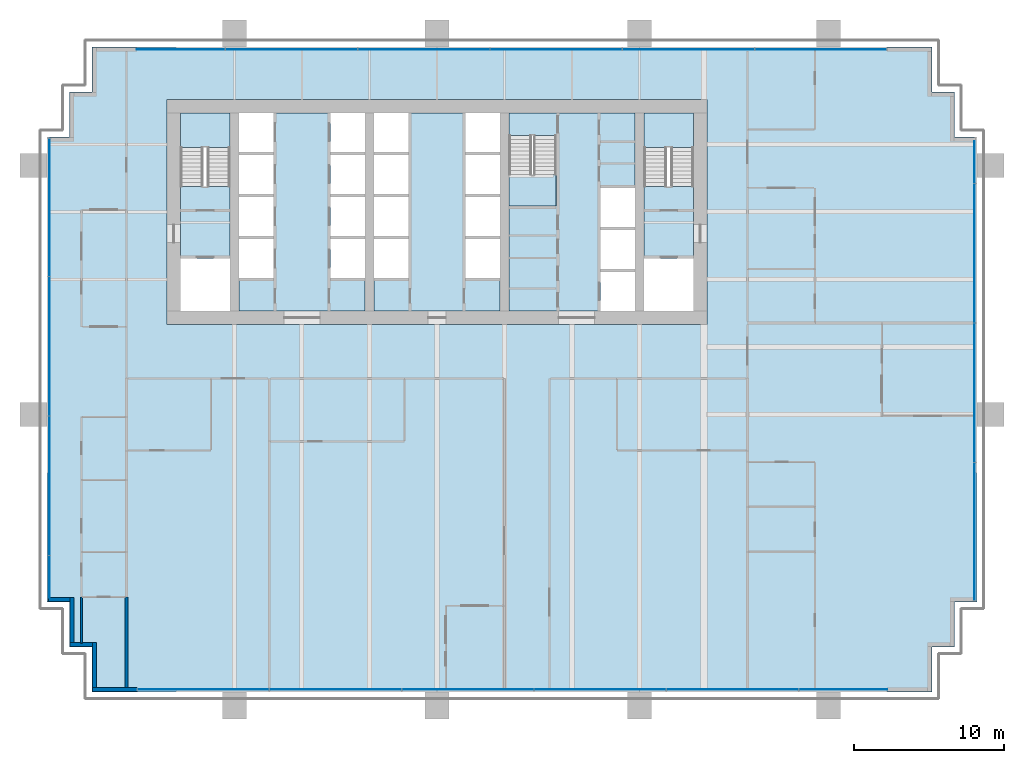
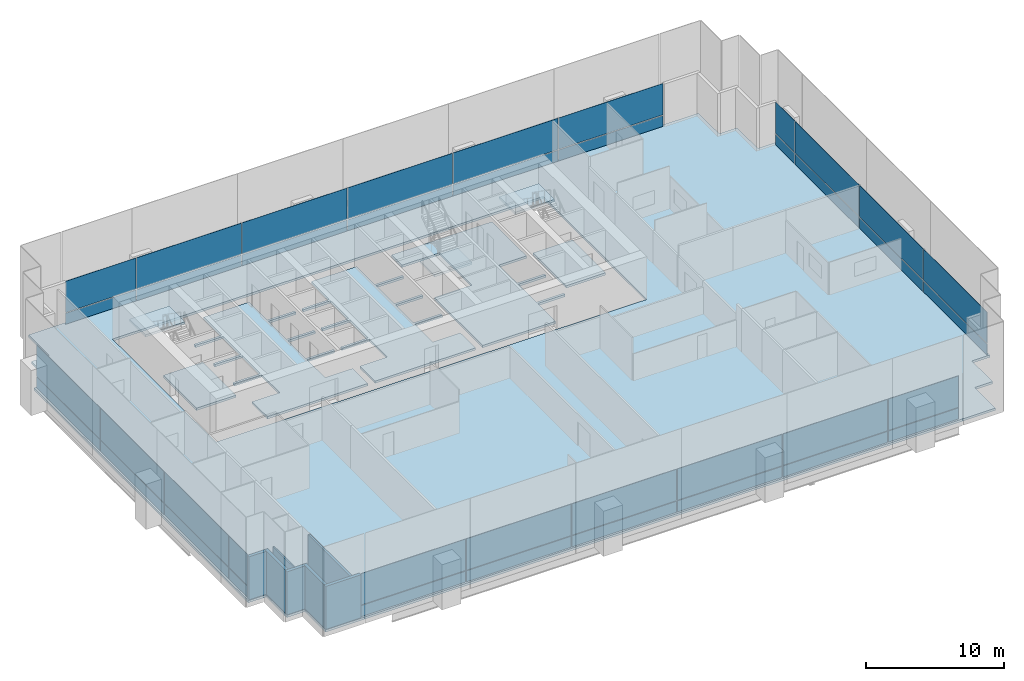
# One storey, part 11 of 19: 40 plates, 9 slabs, 7 walls, 7 elements without a shape of their own.
"""IFC4 building model written with IfcOpenShell, lengths in metres."""

from ifc_helpers import new_model, si_unit, direction, frame, frame_2d, origin, origin_2d, place, context, subcontext, project, spatial, polyline, rectangle, outline, extrude, material, layer, layer_set, type_object, element, aggregate, save


model = new_model("IFC4")

# Units and contexts
model_context = context("Model", 3, precision=1e-05, world=origin(), true_north=direction((0.0, 1.0)))
body_context = subcontext(model_context, "Body", "Model", "MODEL_VIEW")
ifc_project = project(units=[si_unit("LENGTHUNIT", "METRE"), si_unit("AREAUNIT", "SQUARE_METRE"), si_unit("VOLUMEUNIT", "CUBIC_METRE"), si_unit("PLANEANGLEUNIT", "RADIAN"), si_unit("MASSUNIT", "GRAM", prefix="KILO")], contexts=[model_context])

# Site, building, storey
site_placement = place(None, origin())
site = spatial("IfcSite", under=ifc_project, at=site_placement, CompositionType="ELEMENT")
building_placement = place(site_placement, origin())
building = spatial("IfcBuilding", under=site, at=building_placement, Name="Rattan Terrace Tower", CompositionType="ELEMENT")
storey_placement = place(building_placement, frame((0.0, 0.0, 91.699951171875)))
storey = spatial("IfcBuildingStorey", under=building, at=storey_placement, Name="L20", CompositionType="ELEMENT", Elevation=91.699951171875)

# Stair, slab
ifc_material_1 = material(Name="Concrete C40/50", Category="concrete")
stair_type = type_object("IfcStairType", Name="Core exit stair 1500", PredefinedType="HALF_TURN_STAIR", material=ifc_material_1)
stair_1_placement = place(storey_placement, origin())
stair_1 = element("IfcStair", 1, at=stair_1_placement, inside=storey, type_object=stair_type, Name="L20 exit stair 1", PredefinedType="HALF_TURN_STAIR")
ifc_material_2 = material(Name="Concrete C40/50", Category="concrete")
ifc_layer_1 = layer(ifc_material_2, 0.199951171875)
ifc_layer_set_1 = layer_set([ifc_layer_1], Name="Core exit stair landing")
slab_type_1 = type_object("IfcSlabType", Name="Core exit stair landing", PredefinedType="LANDING", material=ifc_layer_set_1)
slab_1_placement = place(storey_placement, frame((0.0, 0.0, 1.800048828125)))
slab_1 = element("IfcSlab", 2, at=slab_1_placement, type_object=slab_type_1, Name="S1 landing 1", PredefinedType="LANDING", context=body_context, shape_type="SweptSolid", body=[
    extrude(outline(polyline([(-13.800048828125, 4.300048828125), (-13.800048828125, 6.60009765625), (-17.10009765625, 6.60009765625), (-17.10009765625, 4.300048828125), (-13.800048828125, 4.300048828125)])), origin(), (0.0, 0.0, 1.0), 0.199951171875),
])
aggregate(stair_1, [slab_1])

stair_2_placement = place(storey_placement, origin())
stair_2 = element("IfcStair", 3, at=stair_2_placement, inside=storey, type_object=stair_type, Name="L20 exit stair 2", PredefinedType="HALF_TURN_STAIR")
slab_2_placement = place(storey_placement, frame((0.0, 0.0, 1.800048828125)))
slab_2 = element("IfcSlab", 4, at=slab_2_placement, type_object=slab_type_1, Name="S2 landing 1", PredefinedType="LANDING", context=body_context, shape_type="SweptSolid", body=[
    extrude(outline(polyline([(17.10009765625, 4.300048828125), (17.10009765625, 6.60009765625), (13.800048828125, 6.60009765625), (13.800048828125, 4.300048828125), (17.10009765625, 4.300048828125)])), origin(), (0.0, 0.0, 1.0), 0.199951171875),
])
aggregate(stair_2, [slab_2])

stair_3_placement = place(storey_placement, origin())
stair_3 = element("IfcStair", 5, at=stair_3_placement, inside=storey, type_object=stair_type, Name="L20 exit stair 3", PredefinedType="HALF_TURN_STAIR")
slab_3_placement = place(storey_placement, frame((0.0, 0.0, 1.800048828125)))
slab_3 = element("IfcSlab", 6, at=slab_3_placement, type_object=slab_type_1, Name="S3 landing 1", PredefinedType="LANDING", context=body_context, shape_type="SweptSolid", body=[
    extrude(outline(polyline([(4.800048828125, 2.5), (4.800048828125, 0.39990234375), (7.949951171875, 0.39990234375), (7.949951171875, 2.5), (4.800048828125, 2.5)])), origin(), (0.0, 0.0, 1.0), 0.199951171875),
])
aggregate(stair_3, [slab_3])

# Curtain wall, plates
ifc_material_3 = material(Name="Aluminium and glass", Category="aluminium")
curtain_wall_type = type_object("IfcCurtainWallType", Name="Facade Unitised Curtain Wall", PredefinedType="NOTDEFINED", material=ifc_material_3)
curtain_wall_1_placement = place(storey_placement, origin())
curtain_wall_1 = element("IfcCurtainWall", 7, at=curtain_wall_1_placement, inside=storey, type_object=curtain_wall_type, Name="Curtain wall L20-1", PredefinedType="NOTDEFINED")
ifc_material_4 = material(Name="Aluminium insulated spandrel panel", Category="aluminium")
ifc_layer_2 = layer(ifc_material_4, 0.028076171875)
ifc_layer_set_2 = layer_set([ifc_layer_2], Name="Facade CW Spandrel Panel")
plate_type_1 = type_object("IfcPlateType", Name="Facade CW Spandrel Panel", PredefinedType="CURTAIN_PANEL", material=ifc_layer_set_2)
plate_1_placement = place(storey_placement, frame((35.830078125, -21.3125, 0.0), z_axis=(0.0, 0.0, 1.0), x_axis=(0.0, 1.0, 0.0)))
plate_1 = element("IfcPlate", 8, at=plate_1_placement, type_object=plate_type_1, Name="Panel cwl-L20-001.1.1", PredefinedType="CURTAIN_PANEL", context=body_context, shape_type="SweptSolid", body=[
    extrude(rectangle(XDim=9.1650390625, YDim=0.028076171875, at=origin_2d()), origin(), (0.0, 0.0, 1.0), 0.969970703125),
])
plate_2_placement = place(storey_placement, frame((35.830078125, -12.050048828125, 0.0), z_axis=(0.0, 0.0, 1.0), x_axis=(0.0, 1.0, 0.0)))
plate_2 = element("IfcPlate", 9, at=plate_2_placement, type_object=plate_type_1, Name="Panel cwl-L20-001.2.1", PredefinedType="CURTAIN_PANEL", context=body_context, shape_type="SweptSolid", body=[
    extrude(rectangle(XDim=9.239990234375, YDim=0.028076171875, at=origin_2d()), origin(), (0.0, 0.0, 1.0), 0.969970703125),
])
plate_3_placement = place(storey_placement, frame((35.830078125, -2.75, 0.0), z_axis=(0.0, 0.0, 1.0), x_axis=(0.0, 1.0, 0.0)))
plate_3 = element("IfcPlate", 10, at=plate_3_placement, type_object=plate_type_1, Name="Panel cwl-L20-001.3.1", PredefinedType="CURTAIN_PANEL", context=body_context, shape_type="SweptSolid", body=[
    extrude(rectangle(XDim=9.239990234375, YDim=0.028076171875, at=origin_2d()), origin(), (0.0, 0.0, 1.0), 0.969970703125),
])
plate_4_placement = place(storey_placement, frame((35.830078125, 3.3173828125, 0.0), z_axis=(0.0, 0.0, 1.0), x_axis=(0.0, 1.0, 0.0)))
plate_4 = element("IfcPlate", 11, at=plate_4_placement, type_object=plate_type_1, Name="Panel cwl-L20-001.4.1", PredefinedType="CURTAIN_PANEL", context=body_context, shape_type="SweptSolid", body=[
    extrude(rectangle(XDim=2.77490234375, YDim=0.028076171875, at=origin_2d()), origin(), (0.0, 0.0, 1.0), 0.969970703125),
])

curtain_wall_2_placement = place(storey_placement, origin())
curtain_wall_2 = element("IfcCurtainWall", 12, at=curtain_wall_2_placement, inside=storey, type_object=curtain_wall_type, Name="Curtain wall L20-2", PredefinedType="NOTDEFINED")
plate_5_placement = place(storey_placement, frame((25.573486328125, 10.830078125, 0.0), z_axis=(0.0, 0.0, 1.0), x_axis=(-1.0, 0.0, 0.0)))
plate_5 = element("IfcPlate", 13, at=plate_5_placement, type_object=plate_type_1, Name="Panel cwl-L20-002.1.1", PredefinedType="CURTAIN_PANEL", context=body_context, shape_type="SweptSolid", body=[
    extrude(rectangle(XDim=8.73291015625, YDim=0.028076171875, at=origin_2d()), origin(), (0.0, 0.0, 1.0), 0.969970703125),
])
plate_6_placement = place(storey_placement, frame((16.765380859375, 10.830078125, 0.0), z_axis=(0.0, 0.0, 1.0), x_axis=(-1.0, 0.0, 0.0)))
plate_6 = element("IfcPlate", 14, at=plate_6_placement, type_object=plate_type_1, Name="Panel cwl-L20-002.2.1", PredefinedType="CURTAIN_PANEL", context=body_context, shape_type="SweptSolid", body=[
    extrude(rectangle(XDim=8.762939453125, YDim=0.028076171875, at=origin_2d()), origin(), (0.0, 0.0, 1.0), 0.969970703125),
])
plate_7_placement = place(storey_placement, frame((7.9423828125, 10.830078125, 0.0), z_axis=(0.0, 0.0, 1.0), x_axis=(-1.0, 0.0, 0.0)))
plate_7 = element("IfcPlate", 15, at=plate_7_placement, type_object=plate_type_1, Name="Panel cwl-L20-002.3.1", PredefinedType="CURTAIN_PANEL", context=body_context, shape_type="SweptSolid", body=[
    extrude(rectangle(XDim=8.762939453125, YDim=0.028076171875, at=origin_2d()), origin(), (0.0, 0.0, 1.0), 0.969970703125),
])
plate_8_placement = place(storey_placement, frame((-0.880615234375, 10.830078125, 0.0), z_axis=(0.0, 0.0, 1.0), x_axis=(-1.0, 0.0, 0.0)))
plate_8 = element("IfcPlate", 16, at=plate_8_placement, type_object=plate_type_1, Name="Panel cwl-L20-002.4.1", PredefinedType="CURTAIN_PANEL", context=body_context, shape_type="SweptSolid", body=[
    extrude(rectangle(XDim=8.762939453125, YDim=0.028076171875, at=origin_2d()), origin(), (0.0, 0.0, 1.0), 0.969970703125),
])
plate_9_placement = place(storey_placement, frame((-9.70361328125, 10.830078125, 0.0), z_axis=(0.0, 0.0, 1.0), x_axis=(-1.0, 0.0, 0.0)))
plate_9 = element("IfcPlate", 17, at=plate_9_placement, type_object=plate_type_1, Name="Panel cwl-L20-002.5.1", PredefinedType="CURTAIN_PANEL", context=body_context, shape_type="SweptSolid", body=[
    extrude(rectangle(XDim=8.762939453125, YDim=0.028076171875, at=origin_2d()), origin(), (0.0, 0.0, 1.0), 0.969970703125),
])
plate_10_placement = place(storey_placement, frame((-17.072509765625, 10.830078125, 0.0), z_axis=(0.0, 0.0, 1.0), x_axis=(-1.0, 0.0, 0.0)))
plate_10 = element("IfcPlate", 18, at=plate_10_placement, type_object=plate_type_1, Name="Panel cwl-L20-002.6.1", PredefinedType="CURTAIN_PANEL", context=body_context, shape_type="SweptSolid", body=[
    extrude(rectangle(XDim=5.85498046875, YDim=0.028076171875, at=origin_2d()), origin(), (0.0, 0.0, 1.0), 0.969970703125),
])

curtain_wall_3_placement = place(storey_placement, origin())
curtain_wall_3 = element("IfcCurtainWall", 19, at=curtain_wall_3_placement, inside=storey, type_object=curtain_wall_type, Name="Curtain wall L20-3", PredefinedType="NOTDEFINED")
plate_11_placement = place(storey_placement, frame((-25.830078125, 0.3125, 0.0), z_axis=(0.0, 0.0, 1.0), x_axis=(0.0, -1.0, 0.0)))
plate_11 = element("IfcPlate", 20, at=plate_11_placement, type_object=plate_type_1, Name="Panel cwl-L20-003.1.1", PredefinedType="CURTAIN_PANEL", context=body_context, shape_type="SweptSolid", body=[
    extrude(rectangle(XDim=9.1650390625, YDim=0.028076171875, at=origin_2d()), origin(), (0.0, 0.0, 1.0), 0.969970703125),
])
plate_12_placement = place(storey_placement, frame((-25.830078125, -8.949951171875, 0.0), z_axis=(0.0, 0.0, 1.0), x_axis=(0.0, -1.0, 0.0)))
plate_12 = element("IfcPlate", 21, at=plate_12_placement, type_object=plate_type_1, Name="Panel cwl-L20-003.2.1", PredefinedType="CURTAIN_PANEL", context=body_context, shape_type="SweptSolid", body=[
    extrude(rectangle(XDim=9.239990234375, YDim=0.028076171875, at=origin_2d()), origin(), (0.0, 0.0, 1.0), 0.969970703125),
])
plate_13_placement = place(storey_placement, frame((-25.830078125, -18.25, 0.0), z_axis=(0.0, 0.0, 1.0), x_axis=(0.0, -1.0, 0.0)))
plate_13 = element("IfcPlate", 22, at=plate_13_placement, type_object=plate_type_1, Name="Panel cwl-L20-003.3.1", PredefinedType="CURTAIN_PANEL", context=body_context, shape_type="SweptSolid", body=[
    extrude(rectangle(XDim=9.239990234375, YDim=0.028076171875, at=origin_2d()), origin(), (0.0, 0.0, 1.0), 0.969970703125),
])
plate_14_placement = place(storey_placement, frame((-25.830078125, -24.3173828125, 0.0), z_axis=(0.0, 0.0, 1.0), x_axis=(0.0, -1.0, 0.0)))
plate_14 = element("IfcPlate", 23, at=plate_14_placement, type_object=plate_type_1, Name="Panel cwl-L20-003.4.1", PredefinedType="CURTAIN_PANEL", context=body_context, shape_type="SweptSolid", body=[
    extrude(rectangle(XDim=2.77490234375, YDim=0.028076171875, at=origin_2d()), origin(), (0.0, 0.0, 1.0), 0.969970703125),
])

curtain_wall_4_placement = place(storey_placement, origin())
curtain_wall_4 = element("IfcCurtainWall", 24, at=curtain_wall_4_placement, inside=storey, type_object=curtain_wall_type, Name="Curtain wall L20-4", PredefinedType="NOTDEFINED")
plate_15_placement = place(storey_placement, frame((-15.573486328125, -31.830078125, 0.0), z_axis=(0.0, 0.0, 1.0), x_axis=(1.0, 0.0, 0.0)))
plate_15 = element("IfcPlate", 25, at=plate_15_placement, type_object=plate_type_1, Name="Panel cwl-L20-004.1.1", PredefinedType="CURTAIN_PANEL", context=body_context, shape_type="SweptSolid", body=[
    extrude(rectangle(XDim=8.73291015625, YDim=0.028076171875, at=origin_2d()), origin(), (0.0, 0.0, 1.0), 0.969970703125),
])
plate_16_placement = place(storey_placement, frame((-6.765380859375, -31.830078125, 0.0), z_axis=(0.0, 0.0, 1.0), x_axis=(1.0, 0.0, 0.0)))
plate_16 = element("IfcPlate", 26, at=plate_16_placement, type_object=plate_type_1, Name="Panel cwl-L20-004.2.1", PredefinedType="CURTAIN_PANEL", context=body_context, shape_type="SweptSolid", body=[
    extrude(rectangle(XDim=8.762939453125, YDim=0.028076171875, at=origin_2d()), origin(), (0.0, 0.0, 1.0), 0.969970703125),
])
plate_17_placement = place(storey_placement, frame((2.0576171875, -31.830078125, 0.0), z_axis=(0.0, 0.0, 1.0), x_axis=(1.0, 0.0, 0.0)))
plate_17 = element("IfcPlate", 27, at=plate_17_placement, type_object=plate_type_1, Name="Panel cwl-L20-004.3.1", PredefinedType="CURTAIN_PANEL", context=body_context, shape_type="SweptSolid", body=[
    extrude(rectangle(XDim=8.762939453125, YDim=0.028076171875, at=origin_2d()), origin(), (0.0, 0.0, 1.0), 0.969970703125),
])
plate_18_placement = place(storey_placement, frame((10.880615234375, -31.830078125, 0.0), z_axis=(0.0, 0.0, 1.0), x_axis=(1.0, 0.0, 0.0)))
plate_18 = element("IfcPlate", 28, at=plate_18_placement, type_object=plate_type_1, Name="Panel cwl-L20-004.4.1", PredefinedType="CURTAIN_PANEL", context=body_context, shape_type="SweptSolid", body=[
    extrude(rectangle(XDim=8.762939453125, YDim=0.028076171875, at=origin_2d()), origin(), (0.0, 0.0, 1.0), 0.969970703125),
])
plate_19_placement = place(storey_placement, frame((19.70361328125, -31.830078125, 0.0), z_axis=(0.0, 0.0, 1.0), x_axis=(1.0, 0.0, 0.0)))
plate_19 = element("IfcPlate", 29, at=plate_19_placement, type_object=plate_type_1, Name="Panel cwl-L20-004.5.1", PredefinedType="CURTAIN_PANEL", context=body_context, shape_type="SweptSolid", body=[
    extrude(rectangle(XDim=8.762939453125, YDim=0.028076171875, at=origin_2d()), origin(), (0.0, 0.0, 1.0), 0.969970703125),
])
plate_20_placement = place(storey_placement, frame((27.072509765625, -31.830078125, 0.0), z_axis=(0.0, 0.0, 1.0), x_axis=(1.0, 0.0, 0.0)))
plate_20 = element("IfcPlate", 30, at=plate_20_placement, type_object=plate_type_1, Name="Panel cwl-L20-004.6.1", PredefinedType="CURTAIN_PANEL", context=body_context, shape_type="SweptSolid", body=[
    extrude(rectangle(XDim=5.85498046875, YDim=0.028076171875, at=origin_2d()), origin(), (0.0, 0.0, 1.0), 0.969970703125),
])

# Plate
ifc_material_5 = material(Name="Clear low-iron glass", Category="glass")
ifc_layer_3 = layer(ifc_material_5, 0.028076171875)
ifc_layer_set_3 = layer_set([ifc_layer_3], Name="Facade CW Vision Panel")
plate_type_2 = type_object("IfcPlateType", Name="Facade CW Vision Panel", PredefinedType="CURTAIN_PANEL", material=ifc_layer_set_3)
plate_21_placement = place(storey_placement, frame((35.830078125, -21.3125, 1.030029296875), z_axis=(0.0, 0.0, 1.0), x_axis=(0.0, 1.0, 0.0)))
plate_21 = element("IfcPlate", 31, at=plate_21_placement, type_object=plate_type_2, Name="Panel cwl-L20-001.1.2", PredefinedType="CURTAIN_PANEL", context=body_context, shape_type="SweptSolid", body=[
    extrude(rectangle(XDim=9.1650390625, YDim=0.028076171875, at=origin_2d()), origin(), (0.0, 0.0, 1.0), 2.77001953125),
])

plate_22_placement = place(storey_placement, frame((35.830078125, -12.050048828125, 1.030029296875), z_axis=(0.0, 0.0, 1.0), x_axis=(0.0, 1.0, 0.0)))
plate_22 = element("IfcPlate", 32, at=plate_22_placement, type_object=plate_type_2, Name="Panel cwl-L20-001.2.2", PredefinedType="CURTAIN_PANEL", context=body_context, shape_type="SweptSolid", body=[
    extrude(rectangle(XDim=9.239990234375, YDim=0.028076171875, at=origin_2d()), origin(), (0.0, 0.0, 1.0), 2.77001953125),
])

plate_23_placement = place(storey_placement, frame((35.830078125, -2.75, 1.030029296875), z_axis=(0.0, 0.0, 1.0), x_axis=(0.0, 1.0, 0.0)))
plate_23 = element("IfcPlate", 33, at=plate_23_placement, type_object=plate_type_2, Name="Panel cwl-L20-001.3.2", PredefinedType="CURTAIN_PANEL", context=body_context, shape_type="SweptSolid", body=[
    extrude(rectangle(XDim=9.239990234375, YDim=0.028076171875, at=origin_2d()), origin(), (0.0, 0.0, 1.0), 2.77001953125),
])

plate_24_placement = place(storey_placement, frame((35.830078125, 3.3173828125, 1.030029296875), z_axis=(0.0, 0.0, 1.0), x_axis=(0.0, 1.0, 0.0)))
plate_24 = element("IfcPlate", 34, at=plate_24_placement, type_object=plate_type_2, Name="Panel cwl-L20-001.4.2", PredefinedType="CURTAIN_PANEL", context=body_context, shape_type="SweptSolid", body=[
    extrude(rectangle(XDim=2.77490234375, YDim=0.028076171875, at=origin_2d()), origin(), (0.0, 0.0, 1.0), 2.77001953125),
])

aggregate(curtain_wall_1, [plate_1, plate_21, plate_2, plate_22, plate_3, plate_23, plate_4, plate_24])

plate_25_placement = place(storey_placement, frame((25.573486328125, 10.830078125, 1.030029296875), z_axis=(0.0, 0.0, 1.0), x_axis=(-1.0, 0.0, 0.0)))
plate_25 = element("IfcPlate", 35, at=plate_25_placement, type_object=plate_type_2, Name="Panel cwl-L20-002.1.2", PredefinedType="CURTAIN_PANEL", context=body_context, shape_type="SweptSolid", body=[
    extrude(rectangle(XDim=8.73291015625, YDim=0.028076171875, at=origin_2d()), origin(), (0.0, 0.0, 1.0), 2.77001953125),
])

plate_26_placement = place(storey_placement, frame((16.765380859375, 10.830078125, 1.030029296875), z_axis=(0.0, 0.0, 1.0), x_axis=(-1.0, 0.0, 0.0)))
plate_26 = element("IfcPlate", 36, at=plate_26_placement, type_object=plate_type_2, Name="Panel cwl-L20-002.2.2", PredefinedType="CURTAIN_PANEL", context=body_context, shape_type="SweptSolid", body=[
    extrude(rectangle(XDim=8.762939453125, YDim=0.028076171875, at=origin_2d()), origin(), (0.0, 0.0, 1.0), 2.77001953125),
])

plate_27_placement = place(storey_placement, frame((7.9423828125, 10.830078125, 1.030029296875), z_axis=(0.0, 0.0, 1.0), x_axis=(-1.0, 0.0, 0.0)))
plate_27 = element("IfcPlate", 37, at=plate_27_placement, type_object=plate_type_2, Name="Panel cwl-L20-002.3.2", PredefinedType="CURTAIN_PANEL", context=body_context, shape_type="SweptSolid", body=[
    extrude(rectangle(XDim=8.762939453125, YDim=0.028076171875, at=origin_2d()), origin(), (0.0, 0.0, 1.0), 2.77001953125),
])

plate_28_placement = place(storey_placement, frame((-0.880615234375, 10.830078125, 1.030029296875), z_axis=(0.0, 0.0, 1.0), x_axis=(-1.0, 0.0, 0.0)))
plate_28 = element("IfcPlate", 38, at=plate_28_placement, type_object=plate_type_2, Name="Panel cwl-L20-002.4.2", PredefinedType="CURTAIN_PANEL", context=body_context, shape_type="SweptSolid", body=[
    extrude(rectangle(XDim=8.762939453125, YDim=0.028076171875, at=origin_2d()), origin(), (0.0, 0.0, 1.0), 2.77001953125),
])

plate_29_placement = place(storey_placement, frame((-9.70361328125, 10.830078125, 1.030029296875), z_axis=(0.0, 0.0, 1.0), x_axis=(-1.0, 0.0, 0.0)))
plate_29 = element("IfcPlate", 39, at=plate_29_placement, type_object=plate_type_2, Name="Panel cwl-L20-002.5.2", PredefinedType="CURTAIN_PANEL", context=body_context, shape_type="SweptSolid", body=[
    extrude(rectangle(XDim=8.762939453125, YDim=0.028076171875, at=origin_2d()), origin(), (0.0, 0.0, 1.0), 2.77001953125),
])

plate_30_placement = place(storey_placement, frame((-17.072509765625, 10.830078125, 1.030029296875), z_axis=(0.0, 0.0, 1.0), x_axis=(-1.0, 0.0, 0.0)))
plate_30 = element("IfcPlate", 40, at=plate_30_placement, type_object=plate_type_2, Name="Panel cwl-L20-002.6.2", PredefinedType="CURTAIN_PANEL", context=body_context, shape_type="SweptSolid", body=[
    extrude(rectangle(XDim=5.85498046875, YDim=0.028076171875, at=origin_2d()), origin(), (0.0, 0.0, 1.0), 2.77001953125),
])

aggregate(curtain_wall_2, [plate_5, plate_25, plate_6, plate_26, plate_7, plate_27, plate_8, plate_28, plate_9, plate_29, plate_10, plate_30])

plate_31_placement = place(storey_placement, frame((-25.830078125, 0.3125, 1.030029296875), z_axis=(0.0, 0.0, 1.0), x_axis=(0.0, -1.0, 0.0)))
plate_31 = element("IfcPlate", 41, at=plate_31_placement, type_object=plate_type_2, Name="Panel cwl-L20-003.1.2", PredefinedType="CURTAIN_PANEL", context=body_context, shape_type="SweptSolid", body=[
    extrude(rectangle(XDim=9.1650390625, YDim=0.028076171875, at=origin_2d()), origin(), (0.0, 0.0, 1.0), 2.77001953125),
])

plate_32_placement = place(storey_placement, frame((-25.830078125, -8.949951171875, 1.030029296875), z_axis=(0.0, 0.0, 1.0), x_axis=(0.0, -1.0, 0.0)))
plate_32 = element("IfcPlate", 42, at=plate_32_placement, type_object=plate_type_2, Name="Panel cwl-L20-003.2.2", PredefinedType="CURTAIN_PANEL", context=body_context, shape_type="SweptSolid", body=[
    extrude(rectangle(XDim=9.239990234375, YDim=0.028076171875, at=origin_2d()), origin(), (0.0, 0.0, 1.0), 2.77001953125),
])

plate_33_placement = place(storey_placement, frame((-25.830078125, -18.25, 1.030029296875), z_axis=(0.0, 0.0, 1.0), x_axis=(0.0, -1.0, 0.0)))
plate_33 = element("IfcPlate", 43, at=plate_33_placement, type_object=plate_type_2, Name="Panel cwl-L20-003.3.2", PredefinedType="CURTAIN_PANEL", context=body_context, shape_type="SweptSolid", body=[
    extrude(rectangle(XDim=9.239990234375, YDim=0.028076171875, at=origin_2d()), origin(), (0.0, 0.0, 1.0), 2.77001953125),
])

plate_34_placement = place(storey_placement, frame((-25.830078125, -24.3173828125, 1.030029296875), z_axis=(0.0, 0.0, 1.0), x_axis=(0.0, -1.0, 0.0)))
plate_34 = element("IfcPlate", 44, at=plate_34_placement, type_object=plate_type_2, Name="Panel cwl-L20-003.4.2", PredefinedType="CURTAIN_PANEL", context=body_context, shape_type="SweptSolid", body=[
    extrude(rectangle(XDim=2.77490234375, YDim=0.028076171875, at=origin_2d()), origin(), (0.0, 0.0, 1.0), 2.77001953125),
])

aggregate(curtain_wall_3, [plate_11, plate_31, plate_12, plate_32, plate_13, plate_33, plate_14, plate_34])

plate_35_placement = place(storey_placement, frame((-15.573486328125, -31.830078125, 1.030029296875), z_axis=(0.0, 0.0, 1.0), x_axis=(1.0, 0.0, 0.0)))
plate_35 = element("IfcPlate", 45, at=plate_35_placement, type_object=plate_type_2, Name="Panel cwl-L20-004.1.2", PredefinedType="CURTAIN_PANEL", context=body_context, shape_type="SweptSolid", body=[
    extrude(rectangle(XDim=8.73291015625, YDim=0.028076171875, at=origin_2d()), origin(), (0.0, 0.0, 1.0), 2.77001953125),
])

plate_36_placement = place(storey_placement, frame((-6.765380859375, -31.830078125, 1.030029296875), z_axis=(0.0, 0.0, 1.0), x_axis=(1.0, 0.0, 0.0)))
plate_36 = element("IfcPlate", 46, at=plate_36_placement, type_object=plate_type_2, Name="Panel cwl-L20-004.2.2", PredefinedType="CURTAIN_PANEL", context=body_context, shape_type="SweptSolid", body=[
    extrude(rectangle(XDim=8.762939453125, YDim=0.028076171875, at=origin_2d()), origin(), (0.0, 0.0, 1.0), 2.77001953125),
])

plate_37_placement = place(storey_placement, frame((2.0576171875, -31.830078125, 1.030029296875), z_axis=(0.0, 0.0, 1.0), x_axis=(1.0, 0.0, 0.0)))
plate_37 = element("IfcPlate", 47, at=plate_37_placement, type_object=plate_type_2, Name="Panel cwl-L20-004.3.2", PredefinedType="CURTAIN_PANEL", context=body_context, shape_type="SweptSolid", body=[
    extrude(rectangle(XDim=8.762939453125, YDim=0.028076171875, at=origin_2d()), origin(), (0.0, 0.0, 1.0), 2.77001953125),
])

plate_38_placement = place(storey_placement, frame((10.880615234375, -31.830078125, 1.030029296875), z_axis=(0.0, 0.0, 1.0), x_axis=(1.0, 0.0, 0.0)))
plate_38 = element("IfcPlate", 48, at=plate_38_placement, type_object=plate_type_2, Name="Panel cwl-L20-004.4.2", PredefinedType="CURTAIN_PANEL", context=body_context, shape_type="SweptSolid", body=[
    extrude(rectangle(XDim=8.762939453125, YDim=0.028076171875, at=origin_2d()), origin(), (0.0, 0.0, 1.0), 2.77001953125),
])

plate_39_placement = place(storey_placement, frame((19.70361328125, -31.830078125, 1.030029296875), z_axis=(0.0, 0.0, 1.0), x_axis=(1.0, 0.0, 0.0)))
plate_39 = element("IfcPlate", 49, at=plate_39_placement, type_object=plate_type_2, Name="Panel cwl-L20-004.5.2", PredefinedType="CURTAIN_PANEL", context=body_context, shape_type="SweptSolid", body=[
    extrude(rectangle(XDim=8.762939453125, YDim=0.028076171875, at=origin_2d()), origin(), (0.0, 0.0, 1.0), 2.77001953125),
])

plate_40_placement = place(storey_placement, frame((27.072509765625, -31.830078125, 1.030029296875), z_axis=(0.0, 0.0, 1.0), x_axis=(1.0, 0.0, 0.0)))
plate_40 = element("IfcPlate", 50, at=plate_40_placement, type_object=plate_type_2, Name="Panel cwl-L20-004.6.2", PredefinedType="CURTAIN_PANEL", context=body_context, shape_type="SweptSolid", body=[
    extrude(rectangle(XDim=5.85498046875, YDim=0.028076171875, at=origin_2d()), origin(), (0.0, 0.0, 1.0), 2.77001953125),
])

aggregate(curtain_wall_4, [plate_15, plate_35, plate_16, plate_36, plate_17, plate_37, plate_18, plate_38, plate_19, plate_39, plate_20, plate_40])

# Slabs
ifc_material_6 = material(Name="Concrete C35/45", Category="concrete")
ifc_layer_4 = layer(ifc_material_6, 0.199951171875)
ifc_layer_set_4 = layer_set([ifc_layer_4], Name="Frame composite floor slab 200")
slab_type_2 = type_object("IfcSlabType", Name="Frame composite floor slab 200", PredefinedType="FLOOR", material=ifc_layer_set_4)
slab_4_placement = place(storey_placement, frame((0.0, 0.0, -0.199951171875)))
element("IfcSlab", 51, at=slab_4_placement, inside=storey, type_object=slab_type_2, Name="Floor slab", PredefinedType="FLOOR", context=body_context, shape_type="SweptSolid", body=[
    extrude(outline(polyline([(-20.0, -32.0), (30.0, -32.0), (33.0, -32.0), (33.0, -29.0), (34.5, -29.0), (34.5, -26.0), (36.0, -26.0), (36.0, 5.0), (34.5, 5.0), (34.5, 8.0), (33.0, 8.0), (33.0, 11.0), (30.0, 11.0), (-20.0, 11.0), (-23.0, 11.0), (-23.0, 8.0), (-24.5, 8.0), (-24.5, 5.0), (-26.0, 5.0), (-26.0, -26.0), (-24.5, -26.0), (-24.5, -29.0), (-23.0, -29.0), (-23.0, -32.0), (-20.0, -32.0)]), holes=[polyline([(-18.0, -6.60009765625), (-18.0, -7.5), (18.0, -7.5), (18.0, -6.60009765625), (18.0, 6.60009765625), (18.0, 7.5), (-18.0, 7.5), (-18.0, 6.60009765625), (-18.0, -6.60009765625)])]), origin(), (0.0, 0.0, 1.0), 0.199951171875),
])
slab_5_placement = place(storey_placement, frame((0.0, 0.0, -0.199951171875)))
element("IfcSlab", 52, at=slab_5_placement, inside=storey, type_object=slab_type_2, Name="Floor slab", PredefinedType="FLOOR", context=body_context, shape_type="SweptSolid", body=[
    extrude(outline(polyline([(-10.89990234375, 6.60009765625), (-10.89990234375, 4.0), (-13.199951171875, 4.0), (-13.199951171875, 3.800048828125), (-10.89990234375, 3.800048828125), (-10.89990234375, 1.199951171875), (-13.199951171875, 1.199951171875), (-13.199951171875, 1.0), (-10.89990234375, 1.0), (-10.89990234375, -1.60009765625), (-13.199951171875, -1.60009765625), (-13.199951171875, -1.800048828125), (-10.89990234375, -1.800048828125), (-10.89990234375, -4.39990234375), (-13.199951171875, -4.39990234375), (-13.199951171875, -6.60009765625), (-4.800048828125, -6.60009765625), (-4.800048828125, -4.39990234375), (-7.10009765625, -4.39990234375), (-7.10009765625, -1.800048828125), (-4.800048828125, -1.800048828125), (-4.800048828125, -1.60009765625), (-7.10009765625, -1.60009765625), (-7.10009765625, 1.0), (-4.800048828125, 1.0), (-4.800048828125, 1.199951171875), (-7.10009765625, 1.199951171875), (-7.10009765625, 3.800048828125), (-4.800048828125, 3.800048828125), (-4.800048828125, 4.0), (-7.10009765625, 4.0), (-7.10009765625, 6.60009765625), (-10.89990234375, 6.60009765625)])), origin(), (0.0, 0.0, 1.0), 0.199951171875),
])
slab_6_placement = place(storey_placement, frame((0.0, 0.0, -0.199951171875)))
element("IfcSlab", 53, at=slab_6_placement, inside=storey, type_object=slab_type_2, Name="Floor slab", PredefinedType="FLOOR", context=body_context, shape_type="SweptSolid", body=[
    extrude(outline(polyline([(-17.10009765625, -3.10009765625), (-13.800048828125, -3.10009765625), (-13.800048828125, 1.7099609375), (-17.10009765625, 1.7099609375), (-17.10009765625, -3.10009765625)])), origin(), (0.0, 0.0, 1.0), 0.199951171875),
])
slab_7_placement = place(storey_placement, frame((0.0, 0.0, -0.199951171875)))
element("IfcSlab", 54, at=slab_7_placement, inside=storey, type_object=slab_type_2, Name="Floor slab", PredefinedType="FLOOR", context=body_context, shape_type="SweptSolid", body=[
    extrude(outline(polyline([(-4.199951171875, 4.0), (-4.199951171875, 3.800048828125), (-1.89990234375, 3.800048828125), (-1.89990234375, 1.199951171875), (-4.199951171875, 1.199951171875), (-4.199951171875, 1.0), (-1.89990234375, 1.0), (-1.89990234375, -1.60009765625), (-4.199951171875, -1.60009765625), (-4.199951171875, -1.800048828125), (-1.89990234375, -1.800048828125), (-1.89990234375, -4.39990234375), (-4.199951171875, -4.39990234375), (-4.199951171875, -6.60009765625), (4.199951171875, -6.60009765625), (4.199951171875, -4.39990234375), (1.89990234375, -4.39990234375), (1.89990234375, -1.800048828125), (4.199951171875, -1.800048828125), (4.199951171875, -1.60009765625), (1.89990234375, -1.60009765625), (1.89990234375, 1.0), (4.199951171875, 1.0), (4.199951171875, 1.199951171875), (1.89990234375, 1.199951171875), (1.89990234375, 3.800048828125), (4.199951171875, 3.800048828125), (4.199951171875, 4.0), (1.89990234375, 4.0), (1.89990234375, 6.60009765625), (-1.89990234375, 6.60009765625), (-1.89990234375, 4.0), (-4.199951171875, 4.0)])), origin(), (0.0, 0.0, 1.0), 0.199951171875),
])
slab_8_placement = place(storey_placement, frame((0.0, 0.0, -0.199951171875)))
element("IfcSlab", 55, at=slab_8_placement, inside=storey, type_object=slab_type_2, Name="Floor slab", PredefinedType="FLOOR", context=body_context, shape_type="SweptSolid", body=[
    extrude(outline(polyline([(4.800048828125, 5.090087890625), (7.949951171875, 5.090087890625), (7.949951171875, 0.39990234375), (4.800048828125, 0.39990234375), (4.800048828125, -6.60009765625), (10.89990234375, -6.60009765625), (10.89990234375, -4.0), (13.199951171875, -4.0), (13.199951171875, -3.800048828125), (10.89990234375, -3.800048828125), (10.89990234375, -1.199951171875), (13.199951171875, -1.199951171875), (13.199951171875, -1.0), (10.89990234375, -1.0), (10.89990234375, 1.60009765625), (13.199951171875, 1.60009765625), (13.199951171875, 6.60009765625), (4.800048828125, 6.60009765625), (4.800048828125, 5.090087890625)])), origin(), (0.0, 0.0, 1.0), 0.199951171875),
])
slab_9_placement = place(storey_placement, frame((0.0, 0.0, -0.199951171875)))
element("IfcSlab", 56, at=slab_9_placement, inside=storey, type_object=slab_type_2, Name="Floor slab", PredefinedType="FLOOR", context=body_context, shape_type="SweptSolid", body=[
    extrude(outline(polyline([(13.800048828125, -3.10009765625), (17.10009765625, -3.10009765625), (17.10009765625, 1.7099609375), (13.800048828125, 1.7099609375), (13.800048828125, -3.10009765625)])), origin(), (0.0, 0.0, 1.0), 0.199951171875),
])

# Walls
ifc_material_7 = material(Name="Insulated aluminium-clad stud wall", Category="aluminium")
ifc_layer_5 = layer(ifc_material_7, 0.25)
ifc_layer_set_5 = layer_set([ifc_layer_5], Name="Facade Riser Wall 250")
wall_type_1 = type_object("IfcWallType", Name="Facade Riser Wall 250", PredefinedType="SOLIDWALL", material=ifc_layer_set_5)
wall_1_placement = place(storey_placement, frame((-25.909912109375, -25.830078125, 0.0), z_axis=(0.0, 0.0, 1.0), x_axis=(1.0, 0.0, 0.0)))
element("IfcWall", 57, at=wall_1_placement, inside=storey, type_object=wall_type_1, Name="Riser wall L20-16", PredefinedType="SOLIDWALL", context=body_context, shape_type="SweptSolid", body=[
    extrude(rectangle(XDim=1.454833984375, YDim=0.25, at=frame_2d((0.7275390625, 0.0))), origin(), (0.0, 0.0, 1.0), 3.800048828125),
])
wall_2_placement = place(storey_placement, frame((-24.330078125, -25.705078125, 0.0), z_axis=(0.0, 0.0, 1.0), x_axis=(0.0, -1.0, 0.0)))
element("IfcWall", 58, at=wall_2_placement, inside=storey, type_object=wall_type_1, Name="Riser wall L20-17", PredefinedType="SOLIDWALL", context=body_context, shape_type="SweptSolid", body=[
    extrude(rectangle(XDim=3.0, YDim=0.25, at=frame_2d((1.5, 0.0))), origin(), (0.0, 0.0, 1.0), 3.800048828125),
])
wall_3_placement = place(storey_placement, frame((-24.455078125, -28.830078125, 0.0), z_axis=(0.0, 0.0, 1.0), x_axis=(1.0, 0.0, 0.0)))
element("IfcWall", 59, at=wall_3_placement, inside=storey, type_object=wall_type_1, Name="Riser wall L20-18", PredefinedType="SOLIDWALL", context=body_context, shape_type="SweptSolid", body=[
    extrude(rectangle(XDim=1.5, YDim=0.25, at=frame_2d((0.75, 0.0))), origin(), (0.0, 0.0, 1.0), 3.800048828125),
])
wall_4_placement = place(storey_placement, frame((-22.830078125, -28.705078125, 0.0), z_axis=(0.0, 0.0, 1.0), x_axis=(0.0, -1.0, 0.0)))
element("IfcWall", 60, at=wall_4_placement, inside=storey, type_object=wall_type_1, Name="Riser wall L20-19", PredefinedType="SOLIDWALL", context=body_context, shape_type="SweptSolid", body=[
    extrude(rectangle(XDim=3.0, YDim=0.25, at=frame_2d((1.5, 0.0))), origin(), (0.0, 0.0, 1.0), 3.800048828125),
])
wall_5_placement = place(storey_placement, frame((-22.955078125, -31.830078125, 0.0), z_axis=(0.0, 0.0, 1.0), x_axis=(1.0, 0.0, 0.0)))
element("IfcWall", 61, at=wall_5_placement, inside=storey, type_object=wall_type_1, Name="Riser wall L20-20", PredefinedType="SOLIDWALL", context=body_context, shape_type="SweptSolid", body=[
    extrude(rectangle(XDim=2.955078125, YDim=0.25, at=frame_2d((1.4775390625, 0.0))), origin(), (0.0, 0.0, 1.0), 3.800048828125),
])
ifc_material_8 = material(Name="Double steel stud acoustic partition, gypsum board, mineral wool, fire rated", Category="steel")
ifc_layer_6 = layer(ifc_material_8, 0.179931640625)
ifc_layer_set_6 = layer_set([ifc_layer_6], Name="Floors Acoustic Party Wall 180")
wall_type_2 = type_object("IfcWallType", Name="Floors Acoustic Party Wall 180", PredefinedType="PARTITIONING", material=ifc_layer_set_6)
wall_6_placement = place(storey_placement, frame((-20.699951171875, -25.659912109375, 0.0), z_axis=(0.0, 0.0, 1.0), x_axis=(0.0, -1.0, 0.0)))
element("IfcWall", 62, at=wall_6_placement, inside=storey, type_object=wall_type_2, Name="pt-L20-028", PredefinedType="PARTITIONING", context=body_context, shape_type="SweptSolid", body=[
    extrude(rectangle(XDim=6.080078125, YDim=0.179931640625, at=frame_2d((3.0400390625, 0.0))), origin(), (0.0, 0.0, 1.0), 3.800048828125),
])
ifc_material_9 = material(Name="Gypsum board partition on steel studs", Category="steel")
ifc_layer_7 = layer(ifc_material_9, 0.10009765625)
ifc_layer_set_7 = layer_set([ifc_layer_7], Name="Floors Partition 100")
wall_type_3 = type_object("IfcWallType", Name="Floors Partition 100", PredefinedType="PARTITIONING", material=ifc_layer_set_7)
wall_7_placement = place(storey_placement, frame((-23.699951171875, -25.679931640625, 0.0), z_axis=(0.0, 0.0, 1.0), x_axis=(0.0, -1.0, 0.0)))
element("IfcWall", 63, at=wall_7_placement, inside=storey, type_object=wall_type_3, Name="pt-L20-018", PredefinedType="PARTITIONING", context=body_context, shape_type="SweptSolid", body=[
    extrude(rectangle(XDim=3.06005859375, YDim=0.10009765625, at=frame_2d((1.530029296875, 0.0))), origin(), (0.0, 0.0, 1.0), 3.800048828125),
])

save(model, "model.ifc")
